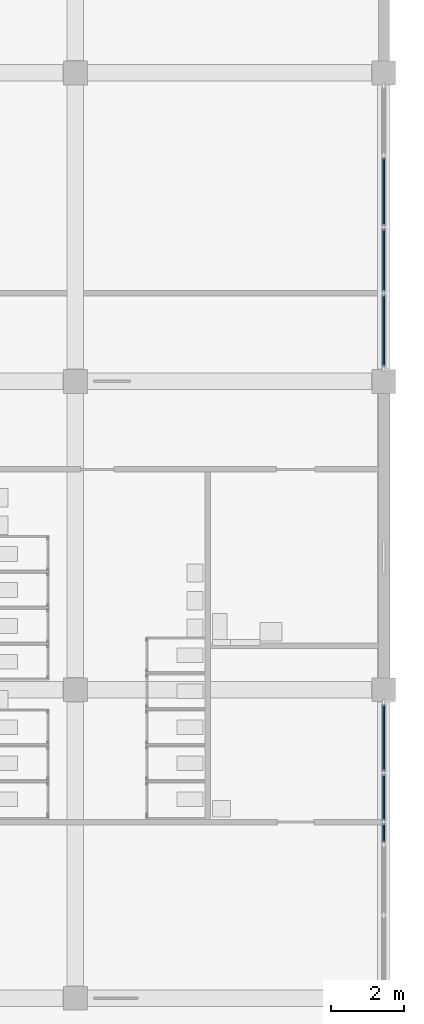
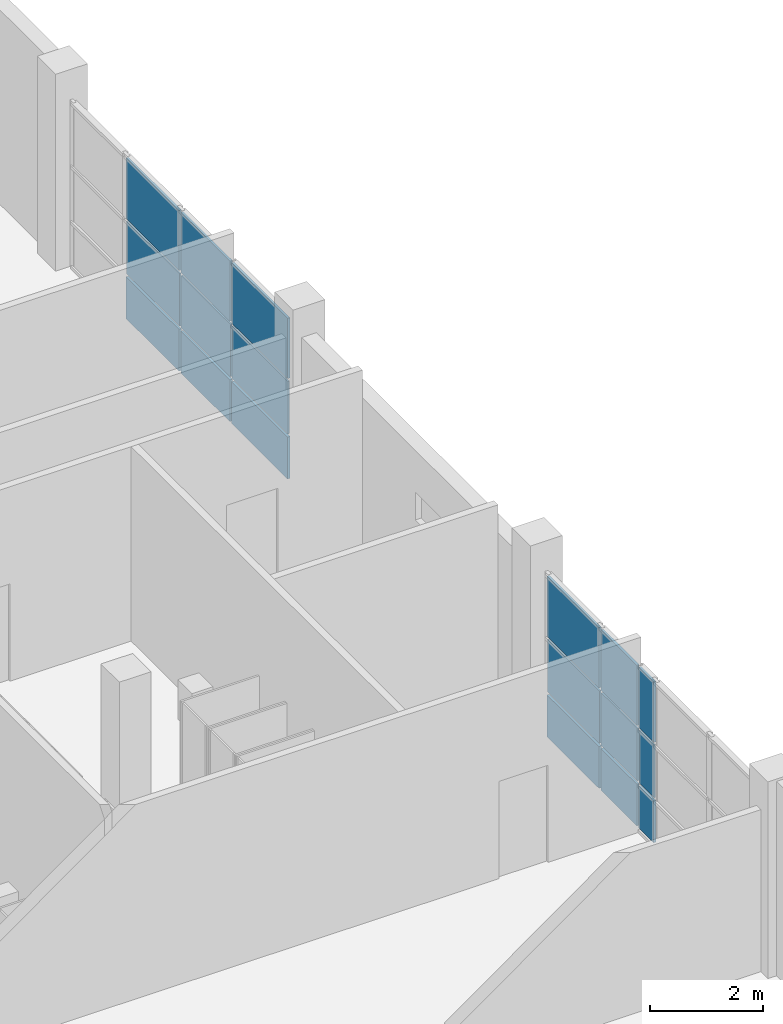
# One storey, part 18 of 64: 18 plates, 2 elements without a shape of their own.
"""IFC4 building model written with IfcOpenShell, lengths in metres."""

from ifc_helpers import new_model, si_unit, direction, frame, origin, origin_2d, place, context, subcontext, project, spatial, rectangle, extrude, material, layer, layer_set, type_object, element, aggregate, save


model = new_model("IFC4")

# Units and contexts
model_context = context("Model", 3, precision=1e-05, world=origin(), true_north=direction((0.0, 1.0)))
body_context = subcontext(model_context, "Body", "Model", "MODEL_VIEW")
ifc_project = project(units=[si_unit("LENGTHUNIT", "METRE"), si_unit("AREAUNIT", "SQUARE_METRE"), si_unit("VOLUMEUNIT", "CUBIC_METRE"), si_unit("PLANEANGLEUNIT", "RADIAN"), si_unit("MASSUNIT", "GRAM", prefix="KILO")], contexts=[model_context])

# Site, building, storey
site_placement = place(None, origin())
site = spatial("IfcSite", under=ifc_project, at=site_placement, CompositionType="ELEMENT")
building_placement = place(site_placement, origin())
building = spatial("IfcBuilding", under=site, at=building_placement, Name="Rulbaag Community and Learning Centre", CompositionType="ELEMENT")
storey_placement = place(building_placement, frame((0.0, 0.0, 5.39990234375)))
storey = spatial("IfcBuildingStorey", under=building, at=storey_placement, Name="L01", CompositionType="ELEMENT", Elevation=5.39990234375)

# Curtain wall, plates
ifc_material_1 = material(Name="Aluminium", Category="aluminium")
ifc_layer_1 = layer(ifc_material_1, 0.14990234375)
ifc_layer_set_1 = layer_set([ifc_layer_1], Name="CW-L")
curtain_wall_type = type_object("IfcCurtainWallType", Name="CW-L", PredefinedType="USERDEFINED", material=ifc_layer_set_1)
curtain_wall_1_placement = place(storey_placement, origin())
curtain_wall_1 = element("IfcCurtainWall", 1, at=curtain_wall_1_placement, inside=storey, type_object=curtain_wall_type, Name="GL-L01-08", ObjectType="STICK CURTAIN WALL", PredefinedType="USERDEFINED")
ifc_layer_2 = layer(ifc_material_1, 0.050048828125)
ifc_layer_set_2 = layer_set([ifc_layer_2], Name="CW-L-SPN")
plate_type_1 = type_object("IfcPlateType", Name="CW-L-SPN", PredefinedType="CURTAIN_PANEL", material=ifc_layer_set_2)
plate_1_placement = place(storey_placement, frame((168.0, 12.89990234375, 0.06494140625), z_axis=(0.0, 0.0, 1.0), x_axis=(0.0, 1.0, 0.0)))
plate_1 = element("IfcPlate", 2, at=plate_1_placement, type_object=plate_type_1, Name="GL spandrel panel", PredefinedType="CURTAIN_PANEL", context=body_context, shape_type="SweptSolid", body=[
    extrude(rectangle(XDim=0.534912109375, YDim=0.050048828125, at=origin_2d()), origin(), (0.0, 0.0, 1.0), 0.902587890625),
])
plate_2_placement = place(storey_placement, frame((168.0, 12.89990234375, 2.232421875), z_axis=(0.0, 0.0, 1.0), x_axis=(0.0, 1.0, 0.0)))
plate_2 = element("IfcPlate", 3, at=plate_2_placement, type_object=plate_type_1, Name="GL spandrel panel", PredefinedType="CURTAIN_PANEL", context=body_context, shape_type="SweptSolid", body=[
    extrude(rectangle(XDim=0.534912109375, YDim=0.050048828125, at=origin_2d()), origin(), (0.0, 0.0, 1.0), 1.302490234375),
])
plate_3_placement = place(storey_placement, frame((168.0, 13.86865234375, 0.06494140625), z_axis=(0.0, 0.0, 1.0), x_axis=(0.0, 1.0, 0.0)))
plate_3 = element("IfcPlate", 4, at=plate_3_placement, type_object=plate_type_1, Name="GL spandrel panel", PredefinedType="CURTAIN_PANEL", context=body_context, shape_type="SweptSolid", body=[
    extrude(rectangle(XDim=1.2724609375, YDim=0.050048828125, at=origin_2d()), origin(), (0.0, 0.0, 1.0), 0.902587890625),
])
plate_4_placement = place(storey_placement, frame((168.0, 13.86865234375, 2.232421875), z_axis=(0.0, 0.0, 1.0), x_axis=(0.0, 1.0, 0.0)))
plate_4 = element("IfcPlate", 5, at=plate_4_placement, type_object=plate_type_1, Name="GL spandrel panel", PredefinedType="CURTAIN_PANEL", context=body_context, shape_type="SweptSolid", body=[
    extrude(rectangle(XDim=1.2724609375, YDim=0.050048828125, at=origin_2d()), origin(), (0.0, 0.0, 1.0), 1.302490234375),
])
plate_5_placement = place(storey_placement, frame((168.0, 15.489990234375, 0.06494140625), z_axis=(0.0, 0.0, 1.0), x_axis=(0.0, 1.0, 0.0)))
plate_5 = element("IfcPlate", 6, at=plate_5_placement, type_object=plate_type_1, Name="GL spandrel panel", PredefinedType="CURTAIN_PANEL", context=body_context, shape_type="SweptSolid", body=[
    extrude(rectangle(XDim=1.840087890625, YDim=0.050048828125, at=origin_2d()), origin(), (0.0, 0.0, 1.0), 0.902587890625),
])
plate_6_placement = place(storey_placement, frame((168.0, 15.489990234375, 2.232421875), z_axis=(0.0, 0.0, 1.0), x_axis=(0.0, 1.0, 0.0)))
plate_6 = element("IfcPlate", 7, at=plate_6_placement, type_object=plate_type_1, Name="GL spandrel panel", PredefinedType="CURTAIN_PANEL", context=body_context, shape_type="SweptSolid", body=[
    extrude(rectangle(XDim=1.840087890625, YDim=0.050048828125, at=origin_2d()), origin(), (0.0, 0.0, 1.0), 1.302490234375),
])

curtain_wall_2_placement = place(storey_placement, origin())
curtain_wall_2 = element("IfcCurtainWall", 8, at=curtain_wall_2_placement, inside=storey, type_object=curtain_wall_type, Name="GL-L01-09", ObjectType="STICK CURTAIN WALL", PredefinedType="USERDEFINED")
plate_7_placement = place(storey_placement, frame((168.0, 26.578857421875, 0.06494140625), z_axis=(0.0, 0.0, 1.0), x_axis=(0.0, 1.0, 0.0)))
plate_7 = element("IfcPlate", 9, at=plate_7_placement, type_object=plate_type_1, Name="GL spandrel panel", PredefinedType="CURTAIN_PANEL", context=body_context, shape_type="SweptSolid", body=[
    extrude(rectangle(XDim=1.9775390625, YDim=0.050048828125, at=origin_2d()), origin(), (0.0, 0.0, 1.0), 0.902587890625),
])
plate_8_placement = place(storey_placement, frame((168.0, 26.578857421875, 2.232421875), z_axis=(0.0, 0.0, 1.0), x_axis=(0.0, 1.0, 0.0)))
plate_8 = element("IfcPlate", 10, at=plate_8_placement, type_object=plate_type_1, Name="GL spandrel panel", PredefinedType="CURTAIN_PANEL", context=body_context, shape_type="SweptSolid", body=[
    extrude(rectangle(XDim=1.9775390625, YDim=0.050048828125, at=origin_2d()), origin(), (0.0, 0.0, 1.0), 1.302490234375),
])
plate_9_placement = place(storey_placement, frame((168.0, 28.5, 0.06494140625), z_axis=(0.0, 0.0, 1.0), x_axis=(0.0, 1.0, 0.0)))
plate_9 = element("IfcPlate", 11, at=plate_9_placement, type_object=plate_type_1, Name="GL spandrel panel", PredefinedType="CURTAIN_PANEL", context=body_context, shape_type="SweptSolid", body=[
    extrude(rectangle(XDim=1.735107421875, YDim=0.050048828125, at=origin_2d()), origin(), (0.0, 0.0, 1.0), 0.902587890625),
])
plate_10_placement = place(storey_placement, frame((168.0, 28.5, 2.232421875), z_axis=(0.0, 0.0, 1.0), x_axis=(0.0, 1.0, 0.0)))
plate_10 = element("IfcPlate", 12, at=plate_10_placement, type_object=plate_type_1, Name="GL spandrel panel", PredefinedType="CURTAIN_PANEL", context=body_context, shape_type="SweptSolid", body=[
    extrude(rectangle(XDim=1.735107421875, YDim=0.050048828125, at=origin_2d()), origin(), (0.0, 0.0, 1.0), 1.302490234375),
])
plate_11_placement = place(storey_placement, frame((168.0, 30.36865234375, 0.06494140625), z_axis=(0.0, 0.0, 1.0), x_axis=(0.0, 1.0, 0.0)))
plate_11 = element("IfcPlate", 13, at=plate_11_placement, type_object=plate_type_1, Name="GL spandrel panel", PredefinedType="CURTAIN_PANEL", context=body_context, shape_type="SweptSolid", body=[
    extrude(rectangle(XDim=1.87255859375, YDim=0.050048828125, at=origin_2d()), origin(), (0.0, 0.0, 1.0), 0.902587890625),
])
plate_12_placement = place(storey_placement, frame((168.0, 30.36865234375, 2.232421875), z_axis=(0.0, 0.0, 1.0), x_axis=(0.0, 1.0, 0.0)))
plate_12 = element("IfcPlate", 14, at=plate_12_placement, type_object=plate_type_1, Name="GL spandrel panel", PredefinedType="CURTAIN_PANEL", context=body_context, shape_type="SweptSolid", body=[
    extrude(rectangle(XDim=1.87255859375, YDim=0.050048828125, at=origin_2d()), origin(), (0.0, 0.0, 1.0), 1.302490234375),
])

# Plate
ifc_material_2 = material(Name="Glass", Category="glass")
ifc_layer_3 = layer(ifc_material_2, 0.031982421875)
ifc_layer_set_3 = layer_set([ifc_layer_3], Name="CW-L-VIS")
plate_type_2 = type_object("IfcPlateType", Name="CW-L-VIS", PredefinedType="CURTAIN_PANEL", material=ifc_layer_set_3)
plate_13_placement = place(storey_placement, frame((168.0, 12.89990234375, 1.03271484375), z_axis=(0.0, 0.0, 1.0), x_axis=(0.0, 1.0, 0.0)))
plate_13 = element("IfcPlate", 15, at=plate_13_placement, type_object=plate_type_2, Name="GL vision panel", PredefinedType="CURTAIN_PANEL", context=body_context, shape_type="SweptSolid", body=[
    extrude(rectangle(XDim=0.534912109375, YDim=0.031982421875, at=origin_2d()), origin(), (0.0, 0.0, 1.0), 1.135009765625),
])

plate_14_placement = place(storey_placement, frame((168.0, 13.86865234375, 1.03271484375), z_axis=(0.0, 0.0, 1.0), x_axis=(0.0, 1.0, 0.0)))
plate_14 = element("IfcPlate", 16, at=plate_14_placement, type_object=plate_type_2, Name="GL vision panel", PredefinedType="CURTAIN_PANEL", context=body_context, shape_type="SweptSolid", body=[
    extrude(rectangle(XDim=1.2724609375, YDim=0.031982421875, at=origin_2d()), origin(), (0.0, 0.0, 1.0), 1.135009765625),
])

plate_15_placement = place(storey_placement, frame((168.0, 15.489990234375, 1.03271484375), z_axis=(0.0, 0.0, 1.0), x_axis=(0.0, 1.0, 0.0)))
plate_15 = element("IfcPlate", 17, at=plate_15_placement, type_object=plate_type_2, Name="GL vision panel", PredefinedType="CURTAIN_PANEL", context=body_context, shape_type="SweptSolid", body=[
    extrude(rectangle(XDim=1.840087890625, YDim=0.031982421875, at=origin_2d()), origin(), (0.0, 0.0, 1.0), 1.135009765625),
])

aggregate(curtain_wall_1, [plate_1, plate_13, plate_2, plate_3, plate_14, plate_4, plate_5, plate_15, plate_6])

plate_16_placement = place(storey_placement, frame((168.0, 26.578857421875, 1.03271484375), z_axis=(0.0, 0.0, 1.0), x_axis=(0.0, 1.0, 0.0)))
plate_16 = element("IfcPlate", 18, at=plate_16_placement, type_object=plate_type_2, Name="GL vision panel", PredefinedType="CURTAIN_PANEL", context=body_context, shape_type="SweptSolid", body=[
    extrude(rectangle(XDim=1.9775390625, YDim=0.031982421875, at=origin_2d()), origin(), (0.0, 0.0, 1.0), 1.135009765625),
])

plate_17_placement = place(storey_placement, frame((168.0, 28.5, 1.03271484375), z_axis=(0.0, 0.0, 1.0), x_axis=(0.0, 1.0, 0.0)))
plate_17 = element("IfcPlate", 19, at=plate_17_placement, type_object=plate_type_2, Name="GL vision panel", PredefinedType="CURTAIN_PANEL", context=body_context, shape_type="SweptSolid", body=[
    extrude(rectangle(XDim=1.735107421875, YDim=0.031982421875, at=origin_2d()), origin(), (0.0, 0.0, 1.0), 1.135009765625),
])

plate_18_placement = place(storey_placement, frame((168.0, 30.36865234375, 1.03271484375), z_axis=(0.0, 0.0, 1.0), x_axis=(0.0, 1.0, 0.0)))
plate_18 = element("IfcPlate", 20, at=plate_18_placement, type_object=plate_type_2, Name="GL vision panel", PredefinedType="CURTAIN_PANEL", context=body_context, shape_type="SweptSolid", body=[
    extrude(rectangle(XDim=1.87255859375, YDim=0.031982421875, at=origin_2d()), origin(), (0.0, 0.0, 1.0), 1.135009765625),
])

aggregate(curtain_wall_2, [plate_7, plate_16, plate_8, plate_9, plate_17, plate_10, plate_11, plate_18, plate_12])

save(model, "model.ifc")
